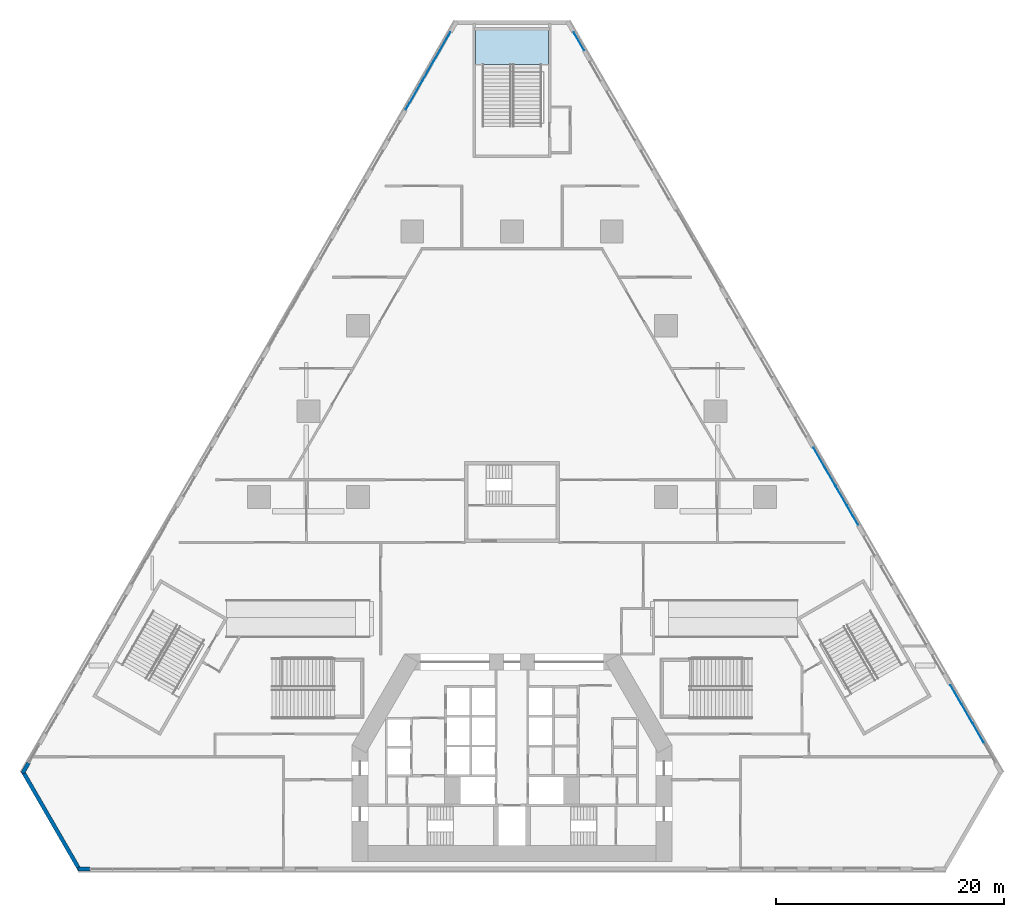
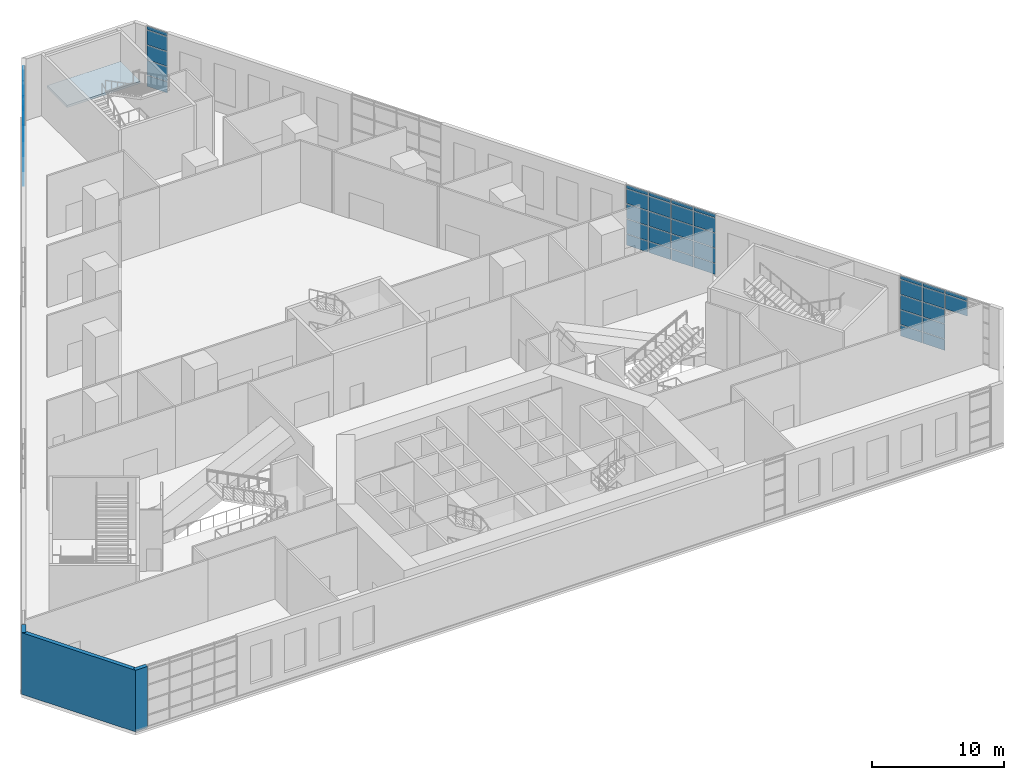
# One storey, part 13 of 27: 57 plates, 3 walls, 1 slab, 5 elements without a shape of their own.
"""IFC4 building model written with IfcOpenShell, lengths in metres."""

import ifcopenshell
import ifcopenshell.guid

model = None  # the IFC model being written
_history = None  # IfcOwnerHistory: only IFC2X3 demands one
_inside = {}  # id of a spatial element -> (the spatial element, [elements in it])
_under = {}  # id of a project, library or spatial element -> (it, [spatial elements below it])
_declared = {}  # id of a project -> (the project, [libraries it declares])
_typed = {}  # id of a type object -> (the type object, [elements of that type])
_made_of = {}  # id of a material, layer set ... -> (it, [elements and type objects made of it])


def new_model(schema):
    """Start an empty IFC model of exactly this schema.

    Asked for "IFC4X3", IfcOpenShell would pick the latest addendum, in which some entities
    have other attributes; the version numbers below select the first issue.
    IFC2X3 requires an IfcOwnerHistory on every rooted entity: one is made here for all.
    """
    global model, _history
    if schema == "IFC4X3":
        model = ifcopenshell.file(schema_version=(4, 3, 0, 0))
    else:
        model = ifcopenshell.file(schema=schema)
    _inside.clear()
    _under.clear()
    _declared.clear()
    _typed.clear()
    _made_of.clear()
    _history = None
    if model.schema == "IFC2X3":
        org = make("IfcOrganization", Name="unknown")
        user = make(
            "IfcPersonAndOrganization",
            ThePerson=make("IfcPerson", FamilyName="unknown"),
            TheOrganization=org,
        )
        app = make(
            "IfcApplication",
            ApplicationDeveloper=org,
            Version="unknown",
            ApplicationFullName="unknown",
            ApplicationIdentifier="unknown",
        )
        _history = make(
            "IfcOwnerHistory",
            OwningUser=user,
            OwningApplication=app,
            ChangeAction="ADDED",
            CreationDate=0,
        )
    return model


def make(cls, **values):
    """One entity of the class cls with the attributes given. An attribute that is None is left unset."""
    return model.create_entity(
        cls, **{name: value for name, value in values.items() if value is not None}
    )


def rooted(cls, **values):
    """An entity with a GlobalId (a new one), such as an element, a storey or a relation."""
    return make(cls, GlobalId=ifcopenshell.guid.new(), OwnerHistory=_history, **values)


def si_unit(unit_type, name, prefix=None):
    """IfcSIUnit, for example si_unit("LENGTHUNIT", "METRE", prefix="MILLI")."""
    return make("IfcSIUnit", UnitType=unit_type, Prefix=prefix, Name=name)


def assignment(units):
    """IfcUnitAssignment: the units of a project."""
    return None if units is None else make("IfcUnitAssignment", Units=units)


def point(xyz):
    """IfcCartesianPoint."""
    return None if xyz is None else make("IfcCartesianPoint", Coordinates=xyz)


def direction(xyz):
    """IfcDirection."""
    return None if xyz is None else make("IfcDirection", DirectionRatios=xyz)


def frame(location, z_axis=None, x_axis=None):
    """IfcAxis2Placement3D, a coordinate frame: its origin and axes. An axis left out is left unset."""
    return make(
        "IfcAxis2Placement3D",
        Location=point(location),
        Axis=direction(z_axis),
        RefDirection=direction(x_axis),
    )


def frame_2d(location, x_axis=None):
    """IfcAxis2Placement2D, a coordinate frame in the plane: its origin and x axis."""
    return make(
        "IfcAxis2Placement2D", Location=point(location), RefDirection=direction(x_axis)
    )


def origin():
    """The frame at (0, 0, 0) with its axes left unset."""
    return frame((0.0, 0.0, 0.0))


def origin_2d():
    """The frame at (0, 0) in the plane with its x axis left unset."""
    return frame_2d((0.0, 0.0))


def place(relative_to, where):
    """IfcLocalPlacement: puts the frame where relative to a parent placement (None: the world)."""
    return make(
        "IfcLocalPlacement", PlacementRelTo=relative_to, RelativePlacement=where
    )


def context(
    kind, dimensions, precision=None, world=None, true_north=None, identifier=None
):
    """IfcGeometricRepresentationContext, for example the 3D "Model" context."""
    return make(
        "IfcGeometricRepresentationContext",
        ContextIdentifier=identifier,
        ContextType=kind,
        CoordinateSpaceDimension=dimensions,
        Precision=precision,
        WorldCoordinateSystem=world,
        TrueNorth=true_north,
    )


def subcontext(parent, identifier, kind, view, scale=None):
    """IfcGeometricRepresentationSubContext, for example "Body" below "Model"."""
    return make(
        "IfcGeometricRepresentationSubContext",
        ContextIdentifier=identifier,
        ContextType=kind,
        ParentContext=parent,
        TargetScale=scale,
        TargetView=view,
    )


def project(units=None, contexts=None):
    """IfcProject with its units and contexts."""
    return rooted(
        "IfcProject",
        Name="project",
        RepresentationContexts=contexts,
        UnitsInContext=assignment(units),
    )


def spatial(cls, under=None, at=None, **own):
    """A site, building, storey or space (cls), placed at a placement, below another one or the project."""
    s = rooted(cls, ObjectPlacement=at, **own)
    if under is not None:
        _under.setdefault(under.id(), (under, []))[1].append(s)
    return s


def polyline(points):
    """IfcPolyline through the points."""
    return make("IfcPolyline", Points=[point(p) for p in points])


def profile(cls, at=None, kind="AREA", **sizes):
    """A parametric profile (cls). Its sizes go by their IFC names, for example OverallWidth=200.0."""
    return make(cls, ProfileType=kind, Position=at, **sizes)


def rectangle(**sizes):
    """IfcRectangleProfileDef."""
    return profile("IfcRectangleProfileDef", **sizes)


def outline(outer, holes=None, kind="AREA"):
    """IfcArbitraryClosedProfileDef: a profile drawn as a closed curve; with holes, ...WithVoids."""
    if holes is None:
        return make("IfcArbitraryClosedProfileDef", ProfileType=kind, OuterCurve=outer)
    return make(
        "IfcArbitraryProfileDefWithVoids",
        ProfileType=kind,
        OuterCurve=outer,
        InnerCurves=holes,
    )


def extrude(swept, where, along, depth):
    """IfcExtrudedAreaSolid: the profile swept, set in the frame where, extruded along a direction by depth."""
    return make(
        "IfcExtrudedAreaSolid",
        SweptArea=swept,
        Position=where,
        ExtrudedDirection=direction(along),
        Depth=depth,
    )


def shape(context_of_items, identifier, shape_type, items):
    """IfcShapeRepresentation: the items that make up one representation, for example the "Body"."""
    return make(
        "IfcShapeRepresentation",
        ContextOfItems=context_of_items,
        RepresentationIdentifier=identifier,
        RepresentationType=shape_type,
        Items=items,
    )


def material(Name=None, Category=None):
    """IfcMaterial."""
    return make("IfcMaterial", Name=Name, Category=Category)


def layer(
    of_material, thickness, ventilated=None, Name=None, Category=None, Priority=None
):
    """IfcMaterialLayer: one layer of a wall or slab, of a material (None: an air gap)."""
    return make(
        "IfcMaterialLayer",
        Material=of_material,
        LayerThickness=thickness,
        IsVentilated=ventilated,
        Name=Name,
        Category=Category,
        Priority=Priority,
    )


def layer_set(layers, Name=None):
    """IfcMaterialLayerSet."""
    return make("IfcMaterialLayerSet", MaterialLayers=layers, LayerSetName=Name)


def made_of(thing, what):
    """Note that an element or type object is made of a material, layer set ...; save() writes the relation."""
    if what is not None:
        _made_of.setdefault(what.id(), (what, []))[1].append(thing)
    return thing


def type_object(cls, material=None, **own):
    """A type object (cls), such as IfcWallType, which elements share."""
    return made_of(rooted(cls, **own), material)


def element(
    cls,
    number,
    at=None,
    inside=None,
    cuts=None,
    type_object=None,
    material=None,
    context=None,
    identifier="Body",
    shape_type=None,
    held_by="IfcProductDefinitionShape",
    body=None,
    shapes=None,
    **own,
):
    """One element of the class cls, such as IfcWall. Its Tag is "e" and its number.

    at: its placement. inside: the storey or other place that contains it. cuts: it is an
    opening in that element (IfcRelVoidsElement). A single representation is given by context,
    identifier, shape_type and body (its items); several are given by shapes. held_by: the class
    of the entity that holds the representations. save() writes the other relations.
    """
    e = rooted(cls, Tag="e%d" % number, ObjectPlacement=at, **own)
    if body is not None:
        shapes = [shape(context, identifier, shape_type, body)]
    if shapes is not None:
        e.Representation = make(held_by, Representations=shapes)
    if inside is not None:
        _inside.setdefault(inside.id(), (inside, []))[1].append(e)
    if cuts is not None:
        rooted(
            "IfcRelVoidsElement", RelatingBuildingElement=cuts, RelatedOpeningElement=e
        )
    if type_object is not None:
        _typed.setdefault(type_object.id(), (type_object, []))[1].append(e)
    return made_of(e, material)


def aggregate(whole, parts):
    """IfcRelAggregates: a whole, such as a stair, and the parts it consists of."""
    return rooted("IfcRelAggregates", RelatingObject=whole, RelatedObjects=parts)


def save(model, path):
    """Write the relations noted so far, then the file.

    IfcRelAggregates (storeys below a building ...), IfcRelContainedInSpatialStructure (elements
    in a storey), IfcRelDefinesByType, IfcRelAssociatesMaterial and IfcRelDeclares: one each for
    every whole, place, type object, material and project.
    """
    for whole, parts in _under.values():
        aggregate(whole, parts)
    for where, things in _inside.values():
        rooted(
            "IfcRelContainedInSpatialStructure",
            RelatedElements=things,
            RelatingStructure=where,
        )
    for kind, things in _typed.values():
        rooted("IfcRelDefinesByType", RelatedObjects=things, RelatingType=kind)
    for what, things in _made_of.values():
        rooted("IfcRelAssociatesMaterial", RelatedObjects=things, RelatingMaterial=what)
    for by, libraries in _declared.values():
        rooted("IfcRelDeclares", RelatingContext=by, RelatedDefinitions=libraries)
    model.write(path)


model = new_model("IFC4")

# Units and contexts
model_context = context("Model", 3, precision=1e-05, world=origin(), true_north=direction((0.0, 1.0)))
body_context = subcontext(model_context, "Body", "Model", "MODEL_VIEW")
ifc_project = project(units=[si_unit("LENGTHUNIT", "METRE"), si_unit("AREAUNIT", "SQUARE_METRE"), si_unit("VOLUMEUNIT", "CUBIC_METRE"), si_unit("PLANEANGLEUNIT", "RADIAN"), si_unit("MASSUNIT", "GRAM", prefix="KILO")], contexts=[model_context])

# Site, building, storey
site_placement = place(None, origin())
site = spatial("IfcSite", under=ifc_project, at=site_placement, CompositionType="ELEMENT")
building_placement = place(site_placement, origin())
building = spatial("IfcBuilding", under=site, at=building_placement, Name="Fogline Exchange Tower", CompositionType="ELEMENT")
storey_placement = place(building_placement, frame((0.0, 0.0, 8.0)))
storey = spatial("IfcBuildingStorey", under=building, at=storey_placement, Name="L01", CompositionType="ELEMENT", Elevation=8.0)

# Curtain wall, plates
ifc_material_1 = material(Name="Aluminium and glass", Category="aluminium")
curtain_wall_type = type_object("IfcCurtainWallType", Name="CW3", PredefinedType="NOTDEFINED", material=ifc_material_1)
curtain_wall_1_placement = place(storey_placement, origin())
curtain_wall_1 = element("IfcCurtainWall", 1, at=curtain_wall_1_placement, inside=storey, type_object=curtain_wall_type, Name="CW3 L01 E run 1", PredefinedType="NOTDEFINED")
ifc_material_2 = material(Name="Glass", Category="glass")
ifc_layer_1 = layer(ifc_material_2, 0.028076171875)
ifc_layer_set_1 = layer_set([ifc_layer_1], Name="CW3-P")
plate_type = type_object("IfcPlateType", Name="CW3-P", PredefinedType="CURTAIN_PANEL", material=ifc_layer_set_1)
plate_1_placement = place(storey_placement, frame((40.845703125, 12.0517578125, 3.93017578125), z_axis=(0.0, 0.0, 1.0), x_axis=(-0.500000016959, 0.866025393993, 0.0)))
plate_1 = element("IfcPlate", 2, at=plate_1_placement, type_object=plate_type, Name="CW3-P01-04 panel 2.4", PredefinedType="CURTAIN_PANEL", context=body_context, shape_type="SweptSolid", body=[
    extrude(rectangle(XDim=1.921142578125, YDim=0.028076171875, at=origin_2d()), origin(), (0.0, 0.0, 1.0), 1.340087890625),
])
plate_2_placement = place(storey_placement, frame((40.845703125, 12.0517578125, 5.330078125), z_axis=(0.0, 0.0, 1.0), x_axis=(-0.500000016959, 0.866025393993, 0.0)))
plate_2 = element("IfcPlate", 3, at=plate_2_placement, type_object=plate_type, Name="CW3-P01-04 panel 2.5", PredefinedType="CURTAIN_PANEL", context=body_context, shape_type="SweptSolid", body=[
    extrude(rectangle(XDim=1.921142578125, YDim=0.028076171875, at=origin_2d()), origin(), (0.0, 0.0, 1.0), 0.31005859375),
])
plate_3_placement = place(storey_placement, frame((39.85986328125, 13.759033203125, 0.06005859375), z_axis=(0.0, 0.0, 1.0), x_axis=(-0.500000016959, 0.866025393993, 0.0)))
plate_3 = element("IfcPlate", 4, at=plate_3_placement, type_object=plate_type, Name="CW3-P01-04 panel 3.1", PredefinedType="CURTAIN_PANEL", context=body_context, shape_type="SweptSolid", body=[
    extrude(rectangle(XDim=1.921142578125, YDim=0.028076171875, at=origin_2d()), origin(), (0.0, 0.0, 1.0), 1.010009765625),
])
plate_4_placement = place(storey_placement, frame((39.85986328125, 13.759033203125, 1.1298828125), z_axis=(0.0, 0.0, 1.0), x_axis=(-0.500000016959, 0.866025393993, 0.0)))
plate_4 = element("IfcPlate", 5, at=plate_4_placement, type_object=plate_type, Name="CW3-P01-04 panel 3.2", PredefinedType="CURTAIN_PANEL", context=body_context, shape_type="SweptSolid", body=[
    extrude(rectangle(XDim=1.921142578125, YDim=0.028076171875, at=origin_2d()), origin(), (0.0, 0.0, 1.0), 1.340087890625),
])
plate_5_placement = place(storey_placement, frame((39.85986328125, 13.759033203125, 2.52978515625), z_axis=(0.0, 0.0, 1.0), x_axis=(-0.500000016959, 0.866025393993, 0.0)))
plate_5 = element("IfcPlate", 6, at=plate_5_placement, type_object=plate_type, Name="CW3-P01-04 panel 3.3", PredefinedType="CURTAIN_PANEL", context=body_context, shape_type="SweptSolid", body=[
    extrude(rectangle(XDim=1.921142578125, YDim=0.028076171875, at=origin_2d()), origin(), (0.0, 0.0, 1.0), 1.340087890625),
])
plate_6_placement = place(storey_placement, frame((39.85986328125, 13.759033203125, 3.93017578125), z_axis=(0.0, 0.0, 1.0), x_axis=(-0.500000016959, 0.866025393993, 0.0)))
plate_6 = element("IfcPlate", 7, at=plate_6_placement, type_object=plate_type, Name="CW3-P01-04 panel 3.4", PredefinedType="CURTAIN_PANEL", context=body_context, shape_type="SweptSolid", body=[
    extrude(rectangle(XDim=1.921142578125, YDim=0.028076171875, at=origin_2d()), origin(), (0.0, 0.0, 1.0), 1.340087890625),
])
plate_7_placement = place(storey_placement, frame((39.85986328125, 13.759033203125, 5.330078125), z_axis=(0.0, 0.0, 1.0), x_axis=(-0.500000016959, 0.866025393993, 0.0)))
plate_7 = element("IfcPlate", 8, at=plate_7_placement, type_object=plate_type, Name="CW3-P01-04 panel 3.5", PredefinedType="CURTAIN_PANEL", context=body_context, shape_type="SweptSolid", body=[
    extrude(rectangle(XDim=1.921142578125, YDim=0.028076171875, at=origin_2d()), origin(), (0.0, 0.0, 1.0), 0.31005859375),
])
plate_8_placement = place(storey_placement, frame((38.880615234375, 15.455322265625, 0.06005859375), z_axis=(0.0, 0.0, 1.0), x_axis=(-0.500000016959, 0.866025393993, 0.0)))
plate_8 = element("IfcPlate", 9, at=plate_8_placement, type_object=plate_type, Name="CW3-P01-04 panel 4.1", PredefinedType="CURTAIN_PANEL", context=body_context, shape_type="SweptSolid", body=[
    extrude(rectangle(XDim=1.896240234375, YDim=0.028076171875, at=origin_2d()), origin(), (0.0, 0.0, 1.0), 1.010009765625),
])
plate_9_placement = place(storey_placement, frame((38.880615234375, 15.455322265625, 1.1298828125), z_axis=(0.0, 0.0, 1.0), x_axis=(-0.500000016959, 0.866025393993, 0.0)))
plate_9 = element("IfcPlate", 10, at=plate_9_placement, type_object=plate_type, Name="CW3-P01-04 panel 4.2", PredefinedType="CURTAIN_PANEL", context=body_context, shape_type="SweptSolid", body=[
    extrude(rectangle(XDim=1.896240234375, YDim=0.028076171875, at=origin_2d()), origin(), (0.0, 0.0, 1.0), 1.340087890625),
])
plate_10_placement = place(storey_placement, frame((38.880615234375, 15.455322265625, 2.52978515625), z_axis=(0.0, 0.0, 1.0), x_axis=(-0.500000016959, 0.866025393993, 0.0)))
plate_10 = element("IfcPlate", 11, at=plate_10_placement, type_object=plate_type, Name="CW3-P01-04 panel 4.3", PredefinedType="CURTAIN_PANEL", context=body_context, shape_type="SweptSolid", body=[
    extrude(rectangle(XDim=1.896240234375, YDim=0.028076171875, at=origin_2d()), origin(), (0.0, 0.0, 1.0), 1.340087890625),
])
plate_11_placement = place(storey_placement, frame((38.880615234375, 15.455322265625, 3.93017578125), z_axis=(0.0, 0.0, 1.0), x_axis=(-0.500000016959, 0.866025393993, 0.0)))
plate_11 = element("IfcPlate", 12, at=plate_11_placement, type_object=plate_type, Name="CW3-P01-04 panel 4.4", PredefinedType="CURTAIN_PANEL", context=body_context, shape_type="SweptSolid", body=[
    extrude(rectangle(XDim=1.896240234375, YDim=0.028076171875, at=origin_2d()), origin(), (0.0, 0.0, 1.0), 1.340087890625),
])
plate_12_placement = place(storey_placement, frame((38.880615234375, 15.455322265625, 5.330078125), z_axis=(0.0, 0.0, 1.0), x_axis=(-0.500000016959, 0.866025393993, 0.0)))
plate_12 = element("IfcPlate", 13, at=plate_12_placement, type_object=plate_type, Name="CW3-P01-04 panel 4.5", PredefinedType="CURTAIN_PANEL", context=body_context, shape_type="SweptSolid", body=[
    extrude(rectangle(XDim=1.896240234375, YDim=0.028076171875, at=origin_2d()), origin(), (0.0, 0.0, 1.0), 0.31005859375),
])
aggregate(curtain_wall_1, [plate_1, plate_2, plate_3, plate_4, plate_5, plate_6, plate_7, plate_8, plate_9, plate_10, plate_11, plate_12])

curtain_wall_2_placement = place(storey_placement, origin())
curtain_wall_2 = element("IfcCurtainWall", 14, at=curtain_wall_2_placement, inside=storey, type_object=curtain_wall_type, Name="CW3 L01 E run 2", PredefinedType="NOTDEFINED")
plate_13_placement = place(storey_placement, frame((29.824951171875, 31.14013671875, 0.06005859375), z_axis=(0.0, 0.0, 1.0), x_axis=(-0.500000016959, 0.866025393993, 0.0)))
plate_13 = element("IfcPlate", 15, at=plate_13_placement, type_object=plate_type, Name="CW3-P01-05 panel 1.1", PredefinedType="CURTAIN_PANEL", context=body_context, shape_type="SweptSolid", body=[
    extrude(rectangle(XDim=1.896240234375, YDim=0.028076171875, at=origin_2d()), origin(), (0.0, 0.0, 1.0), 1.010009765625),
])
plate_14_placement = place(storey_placement, frame((29.824951171875, 31.14013671875, 1.1298828125), z_axis=(0.0, 0.0, 1.0), x_axis=(-0.500000016959, 0.866025393993, 0.0)))
plate_14 = element("IfcPlate", 16, at=plate_14_placement, type_object=plate_type, Name="CW3-P01-05 panel 1.2", PredefinedType="CURTAIN_PANEL", context=body_context, shape_type="SweptSolid", body=[
    extrude(rectangle(XDim=1.896240234375, YDim=0.028076171875, at=origin_2d()), origin(), (0.0, 0.0, 1.0), 1.340087890625),
])
plate_15_placement = place(storey_placement, frame((29.824951171875, 31.14013671875, 2.52978515625), z_axis=(0.0, 0.0, 1.0), x_axis=(-0.500000016959, 0.866025393993, 0.0)))
plate_15 = element("IfcPlate", 17, at=plate_15_placement, type_object=plate_type, Name="CW3-P01-05 panel 1.3", PredefinedType="CURTAIN_PANEL", context=body_context, shape_type="SweptSolid", body=[
    extrude(rectangle(XDim=1.896240234375, YDim=0.028076171875, at=origin_2d()), origin(), (0.0, 0.0, 1.0), 1.340087890625),
])
plate_16_placement = place(storey_placement, frame((29.824951171875, 31.14013671875, 3.93017578125), z_axis=(0.0, 0.0, 1.0), x_axis=(-0.500000016959, 0.866025393993, 0.0)))
plate_16 = element("IfcPlate", 18, at=plate_16_placement, type_object=plate_type, Name="CW3-P01-05 panel 1.4", PredefinedType="CURTAIN_PANEL", context=body_context, shape_type="SweptSolid", body=[
    extrude(rectangle(XDim=1.896240234375, YDim=0.028076171875, at=origin_2d()), origin(), (0.0, 0.0, 1.0), 1.340087890625),
])
plate_17_placement = place(storey_placement, frame((29.824951171875, 31.14013671875, 5.330078125), z_axis=(0.0, 0.0, 1.0), x_axis=(-0.500000016959, 0.866025393993, 0.0)))
plate_17 = element("IfcPlate", 19, at=plate_17_placement, type_object=plate_type, Name="CW3-P01-05 panel 1.5", PredefinedType="CURTAIN_PANEL", context=body_context, shape_type="SweptSolid", body=[
    extrude(rectangle(XDim=1.896240234375, YDim=0.028076171875, at=origin_2d()), origin(), (0.0, 0.0, 1.0), 0.31005859375),
])
plate_18_placement = place(storey_placement, frame((28.845703125, 32.83642578125, 0.06005859375), z_axis=(0.0, 0.0, 1.0), x_axis=(-0.500000016959, 0.866025393993, 0.0)))
plate_18 = element("IfcPlate", 20, at=plate_18_placement, type_object=plate_type, Name="CW3-P01-05 panel 2.1", PredefinedType="CURTAIN_PANEL", context=body_context, shape_type="SweptSolid", body=[
    extrude(rectangle(XDim=1.921142578125, YDim=0.028076171875, at=origin_2d()), origin(), (0.0, 0.0, 1.0), 1.010009765625),
])
plate_19_placement = place(storey_placement, frame((28.845703125, 32.83642578125, 1.1298828125), z_axis=(0.0, 0.0, 1.0), x_axis=(-0.500000016959, 0.866025393993, 0.0)))
plate_19 = element("IfcPlate", 21, at=plate_19_placement, type_object=plate_type, Name="CW3-P01-05 panel 2.2", PredefinedType="CURTAIN_PANEL", context=body_context, shape_type="SweptSolid", body=[
    extrude(rectangle(XDim=1.921142578125, YDim=0.028076171875, at=origin_2d()), origin(), (0.0, 0.0, 1.0), 1.340087890625),
])
plate_20_placement = place(storey_placement, frame((28.845703125, 32.83642578125, 2.52978515625), z_axis=(0.0, 0.0, 1.0), x_axis=(-0.500000016959, 0.866025393993, 0.0)))
plate_20 = element("IfcPlate", 22, at=plate_20_placement, type_object=plate_type, Name="CW3-P01-05 panel 2.3", PredefinedType="CURTAIN_PANEL", context=body_context, shape_type="SweptSolid", body=[
    extrude(rectangle(XDim=1.921142578125, YDim=0.028076171875, at=origin_2d()), origin(), (0.0, 0.0, 1.0), 1.340087890625),
])
plate_21_placement = place(storey_placement, frame((28.845703125, 32.83642578125, 3.93017578125), z_axis=(0.0, 0.0, 1.0), x_axis=(-0.500000016959, 0.866025393993, 0.0)))
plate_21 = element("IfcPlate", 23, at=plate_21_placement, type_object=plate_type, Name="CW3-P01-05 panel 2.4", PredefinedType="CURTAIN_PANEL", context=body_context, shape_type="SweptSolid", body=[
    extrude(rectangle(XDim=1.921142578125, YDim=0.028076171875, at=origin_2d()), origin(), (0.0, 0.0, 1.0), 1.340087890625),
])
plate_22_placement = place(storey_placement, frame((28.845703125, 32.83642578125, 5.330078125), z_axis=(0.0, 0.0, 1.0), x_axis=(-0.500000016959, 0.866025393993, 0.0)))
plate_22 = element("IfcPlate", 24, at=plate_22_placement, type_object=plate_type, Name="CW3-P01-05 panel 2.5", PredefinedType="CURTAIN_PANEL", context=body_context, shape_type="SweptSolid", body=[
    extrude(rectangle(XDim=1.921142578125, YDim=0.028076171875, at=origin_2d()), origin(), (0.0, 0.0, 1.0), 0.31005859375),
])
plate_23_placement = place(storey_placement, frame((27.85986328125, 34.54345703125, 0.06005859375), z_axis=(0.0, 0.0, 1.0), x_axis=(-0.500000016959, 0.866025393993, 0.0)))
plate_23 = element("IfcPlate", 25, at=plate_23_placement, type_object=plate_type, Name="CW3-P01-05 panel 3.1", PredefinedType="CURTAIN_PANEL", context=body_context, shape_type="SweptSolid", body=[
    extrude(rectangle(XDim=1.921142578125, YDim=0.028076171875, at=origin_2d()), origin(), (0.0, 0.0, 1.0), 1.010009765625),
])
plate_24_placement = place(storey_placement, frame((27.85986328125, 34.54345703125, 1.1298828125), z_axis=(0.0, 0.0, 1.0), x_axis=(-0.500000016959, 0.866025393993, 0.0)))
plate_24 = element("IfcPlate", 26, at=plate_24_placement, type_object=plate_type, Name="CW3-P01-05 panel 3.2", PredefinedType="CURTAIN_PANEL", context=body_context, shape_type="SweptSolid", body=[
    extrude(rectangle(XDim=1.921142578125, YDim=0.028076171875, at=origin_2d()), origin(), (0.0, 0.0, 1.0), 1.340087890625),
])
plate_25_placement = place(storey_placement, frame((27.85986328125, 34.54345703125, 2.52978515625), z_axis=(0.0, 0.0, 1.0), x_axis=(-0.500000016959, 0.866025393993, 0.0)))
plate_25 = element("IfcPlate", 27, at=plate_25_placement, type_object=plate_type, Name="CW3-P01-05 panel 3.3", PredefinedType="CURTAIN_PANEL", context=body_context, shape_type="SweptSolid", body=[
    extrude(rectangle(XDim=1.921142578125, YDim=0.028076171875, at=origin_2d()), origin(), (0.0, 0.0, 1.0), 1.340087890625),
])
plate_26_placement = place(storey_placement, frame((27.85986328125, 34.54345703125, 3.93017578125), z_axis=(0.0, 0.0, 1.0), x_axis=(-0.500000016959, 0.866025393993, 0.0)))
plate_26 = element("IfcPlate", 28, at=plate_26_placement, type_object=plate_type, Name="CW3-P01-05 panel 3.4", PredefinedType="CURTAIN_PANEL", context=body_context, shape_type="SweptSolid", body=[
    extrude(rectangle(XDim=1.921142578125, YDim=0.028076171875, at=origin_2d()), origin(), (0.0, 0.0, 1.0), 1.340087890625),
])
plate_27_placement = place(storey_placement, frame((27.85986328125, 34.54345703125, 5.330078125), z_axis=(0.0, 0.0, 1.0), x_axis=(-0.500000016959, 0.866025393993, 0.0)))
plate_27 = element("IfcPlate", 29, at=plate_27_placement, type_object=plate_type, Name="CW3-P01-05 panel 3.5", PredefinedType="CURTAIN_PANEL", context=body_context, shape_type="SweptSolid", body=[
    extrude(rectangle(XDim=1.921142578125, YDim=0.028076171875, at=origin_2d()), origin(), (0.0, 0.0, 1.0), 0.31005859375),
])
plate_28_placement = place(storey_placement, frame((26.880615234375, 36.239990234375, 0.06005859375), z_axis=(0.0, 0.0, 1.0), x_axis=(-0.500000016959, 0.866025393993, 0.0)))
plate_28 = element("IfcPlate", 30, at=plate_28_placement, type_object=plate_type, Name="CW3-P01-05 panel 4.1", PredefinedType="CURTAIN_PANEL", context=body_context, shape_type="SweptSolid", body=[
    extrude(rectangle(XDim=1.896240234375, YDim=0.028076171875, at=origin_2d()), origin(), (0.0, 0.0, 1.0), 1.010009765625),
])
plate_29_placement = place(storey_placement, frame((26.880615234375, 36.239990234375, 1.1298828125), z_axis=(0.0, 0.0, 1.0), x_axis=(-0.500000016959, 0.866025393993, 0.0)))
plate_29 = element("IfcPlate", 31, at=plate_29_placement, type_object=plate_type, Name="CW3-P01-05 panel 4.2", PredefinedType="CURTAIN_PANEL", context=body_context, shape_type="SweptSolid", body=[
    extrude(rectangle(XDim=1.896240234375, YDim=0.028076171875, at=origin_2d()), origin(), (0.0, 0.0, 1.0), 1.340087890625),
])
plate_30_placement = place(storey_placement, frame((26.880615234375, 36.239990234375, 2.52978515625), z_axis=(0.0, 0.0, 1.0), x_axis=(-0.500000016959, 0.866025393993, 0.0)))
plate_30 = element("IfcPlate", 32, at=plate_30_placement, type_object=plate_type, Name="CW3-P01-05 panel 4.3", PredefinedType="CURTAIN_PANEL", context=body_context, shape_type="SweptSolid", body=[
    extrude(rectangle(XDim=1.896240234375, YDim=0.028076171875, at=origin_2d()), origin(), (0.0, 0.0, 1.0), 1.340087890625),
])
plate_31_placement = place(storey_placement, frame((26.880615234375, 36.239990234375, 3.93017578125), z_axis=(0.0, 0.0, 1.0), x_axis=(-0.500000016959, 0.866025393993, 0.0)))
plate_31 = element("IfcPlate", 33, at=plate_31_placement, type_object=plate_type, Name="CW3-P01-05 panel 4.4", PredefinedType="CURTAIN_PANEL", context=body_context, shape_type="SweptSolid", body=[
    extrude(rectangle(XDim=1.896240234375, YDim=0.028076171875, at=origin_2d()), origin(), (0.0, 0.0, 1.0), 1.340087890625),
])
plate_32_placement = place(storey_placement, frame((26.880615234375, 36.239990234375, 5.330078125), z_axis=(0.0, 0.0, 1.0), x_axis=(-0.500000016959, 0.866025393993, 0.0)))
plate_32 = element("IfcPlate", 34, at=plate_32_placement, type_object=plate_type, Name="CW3-P01-05 panel 4.5", PredefinedType="CURTAIN_PANEL", context=body_context, shape_type="SweptSolid", body=[
    extrude(rectangle(XDim=1.896240234375, YDim=0.028076171875, at=origin_2d()), origin(), (0.0, 0.0, 1.0), 0.31005859375),
])
aggregate(curtain_wall_2, [plate_13, plate_14, plate_15, plate_16, plate_17, plate_18, plate_19, plate_20, plate_21, plate_22, plate_23, plate_24, plate_25, plate_26, plate_27, plate_28, plate_29, plate_30, plate_31, plate_32])

curtain_wall_3_placement = place(storey_placement, origin())
curtain_wall_3 = element("IfcCurtainWall", 35, at=curtain_wall_3_placement, inside=storey, type_object=curtain_wall_type, Name="CW3 L01 E run 4", PredefinedType="NOTDEFINED")
plate_33_placement = place(storey_placement, frame((5.852783203125, 72.6611328125, 0.06005859375), z_axis=(0.0, 0.0, 1.0), x_axis=(-0.500001811561, 0.866024357877, 0.0)))
plate_33 = element("IfcPlate", 36, at=plate_33_placement, type_object=plate_type, Name="CW3-P01-07 panel 1.1", PredefinedType="CURTAIN_PANEL", context=body_context, shape_type="SweptSolid", body=[
    extrude(rectangle(XDim=1.784912109375, YDim=0.028076171875, at=origin_2d()), origin(), (0.0, 0.0, 1.0), 1.010009765625),
])
plate_34_placement = place(storey_placement, frame((5.852783203125, 72.6611328125, 1.1298828125), z_axis=(0.0, 0.0, 1.0), x_axis=(-0.500001811561, 0.866024357877, 0.0)))
plate_34 = element("IfcPlate", 37, at=plate_34_placement, type_object=plate_type, Name="CW3-P01-07 panel 1.2", PredefinedType="CURTAIN_PANEL", context=body_context, shape_type="SweptSolid", body=[
    extrude(rectangle(XDim=1.784912109375, YDim=0.028076171875, at=origin_2d()), origin(), (0.0, 0.0, 1.0), 1.340087890625),
])
plate_35_placement = place(storey_placement, frame((5.852783203125, 72.6611328125, 2.52978515625), z_axis=(0.0, 0.0, 1.0), x_axis=(-0.500001811561, 0.866024357877, 0.0)))
plate_35 = element("IfcPlate", 38, at=plate_35_placement, type_object=plate_type, Name="CW3-P01-07 panel 1.3", PredefinedType="CURTAIN_PANEL", context=body_context, shape_type="SweptSolid", body=[
    extrude(rectangle(XDim=1.784912109375, YDim=0.028076171875, at=origin_2d()), origin(), (0.0, 0.0, 1.0), 1.340087890625),
])
plate_36_placement = place(storey_placement, frame((5.852783203125, 72.6611328125, 3.93017578125), z_axis=(0.0, 0.0, 1.0), x_axis=(-0.500001811561, 0.866024357877, 0.0)))
plate_36 = element("IfcPlate", 39, at=plate_36_placement, type_object=plate_type, Name="CW3-P01-07 panel 1.4", PredefinedType="CURTAIN_PANEL", context=body_context, shape_type="SweptSolid", body=[
    extrude(rectangle(XDim=1.784912109375, YDim=0.028076171875, at=origin_2d()), origin(), (0.0, 0.0, 1.0), 1.340087890625),
])
plate_37_placement = place(storey_placement, frame((5.852783203125, 72.6611328125, 5.330078125), z_axis=(0.0, 0.0, 1.0), x_axis=(-0.500001811561, 0.866024357877, 0.0)))
plate_37 = element("IfcPlate", 40, at=plate_37_placement, type_object=plate_type, Name="CW3-P01-07 panel 1.5", PredefinedType="CURTAIN_PANEL", context=body_context, shape_type="SweptSolid", body=[
    extrude(rectangle(XDim=1.784912109375, YDim=0.028076171875, at=origin_2d()), origin(), (0.0, 0.0, 1.0), 0.31005859375),
])
aggregate(curtain_wall_3, [plate_33, plate_34, plate_35, plate_36, plate_37])

curtain_wall_4_placement = place(storey_placement, origin())
curtain_wall_4 = element("IfcCurtainWall", 41, at=curtain_wall_4_placement, inside=storey, type_object=curtain_wall_type, Name="CW3 L01 W run 1", PredefinedType="NOTDEFINED")
plate_38_placement = place(storey_placement, frame((-5.880615234375, 72.613037109375, 0.06005859375), z_axis=(0.0, 0.0, 1.0), x_axis=(-0.500000016959, -0.866025393993, 0.0)))
plate_38 = element("IfcPlate", 42, at=plate_38_placement, type_object=plate_type, Name="CW3-P01-08 panel 1.1", PredefinedType="CURTAIN_PANEL", context=body_context, shape_type="SweptSolid", body=[
    extrude(rectangle(XDim=1.896240234375, YDim=0.028076171875, at=origin_2d()), origin(), (0.0, 0.0, 1.0), 1.010009765625),
])
plate_39_placement = place(storey_placement, frame((-5.880615234375, 72.613037109375, 1.1298828125), z_axis=(0.0, 0.0, 1.0), x_axis=(-0.500000016959, -0.866025393993, 0.0)))
plate_39 = element("IfcPlate", 43, at=plate_39_placement, type_object=plate_type, Name="CW3-P01-08 panel 1.2", PredefinedType="CURTAIN_PANEL", context=body_context, shape_type="SweptSolid", body=[
    extrude(rectangle(XDim=1.896240234375, YDim=0.028076171875, at=origin_2d()), origin(), (0.0, 0.0, 1.0), 1.340087890625),
])
plate_40_placement = place(storey_placement, frame((-5.880615234375, 72.613037109375, 2.52978515625), z_axis=(0.0, 0.0, 1.0), x_axis=(-0.500000016959, -0.866025393993, 0.0)))
plate_40 = element("IfcPlate", 44, at=plate_40_placement, type_object=plate_type, Name="CW3-P01-08 panel 1.3", PredefinedType="CURTAIN_PANEL", context=body_context, shape_type="SweptSolid", body=[
    extrude(rectangle(XDim=1.896240234375, YDim=0.028076171875, at=origin_2d()), origin(), (0.0, 0.0, 1.0), 1.340087890625),
])
plate_41_placement = place(storey_placement, frame((-5.880615234375, 72.613037109375, 3.93017578125), z_axis=(0.0, 0.0, 1.0), x_axis=(-0.500000016959, -0.866025393993, 0.0)))
plate_41 = element("IfcPlate", 45, at=plate_41_placement, type_object=plate_type, Name="CW3-P01-08 panel 1.4", PredefinedType="CURTAIN_PANEL", context=body_context, shape_type="SweptSolid", body=[
    extrude(rectangle(XDim=1.896240234375, YDim=0.028076171875, at=origin_2d()), origin(), (0.0, 0.0, 1.0), 1.340087890625),
])
plate_42_placement = place(storey_placement, frame((-5.880615234375, 72.613037109375, 5.330078125), z_axis=(0.0, 0.0, 1.0), x_axis=(-0.500000016959, -0.866025393993, 0.0)))
plate_42 = element("IfcPlate", 46, at=plate_42_placement, type_object=plate_type, Name="CW3-P01-08 panel 1.5", PredefinedType="CURTAIN_PANEL", context=body_context, shape_type="SweptSolid", body=[
    extrude(rectangle(XDim=1.896240234375, YDim=0.028076171875, at=origin_2d()), origin(), (0.0, 0.0, 1.0), 0.31005859375),
])
plate_43_placement = place(storey_placement, frame((-6.85986328125, 70.916748046875, 0.06005859375), z_axis=(0.0, 0.0, 1.0), x_axis=(-0.500000016959, -0.866025393993, 0.0)))
plate_43 = element("IfcPlate", 47, at=plate_43_placement, type_object=plate_type, Name="CW3-P01-08 panel 2.1", PredefinedType="CURTAIN_PANEL", context=body_context, shape_type="SweptSolid", body=[
    extrude(rectangle(XDim=1.921142578125, YDim=0.028076171875, at=origin_2d()), origin(), (0.0, 0.0, 1.0), 1.010009765625),
])
plate_44_placement = place(storey_placement, frame((-6.85986328125, 70.916748046875, 1.1298828125), z_axis=(0.0, 0.0, 1.0), x_axis=(-0.500000016959, -0.866025393993, 0.0)))
plate_44 = element("IfcPlate", 48, at=plate_44_placement, type_object=plate_type, Name="CW3-P01-08 panel 2.2", PredefinedType="CURTAIN_PANEL", context=body_context, shape_type="SweptSolid", body=[
    extrude(rectangle(XDim=1.921142578125, YDim=0.028076171875, at=origin_2d()), origin(), (0.0, 0.0, 1.0), 1.340087890625),
])
plate_45_placement = place(storey_placement, frame((-6.85986328125, 70.916748046875, 2.52978515625), z_axis=(0.0, 0.0, 1.0), x_axis=(-0.500000016959, -0.866025393993, 0.0)))
plate_45 = element("IfcPlate", 49, at=plate_45_placement, type_object=plate_type, Name="CW3-P01-08 panel 2.3", PredefinedType="CURTAIN_PANEL", context=body_context, shape_type="SweptSolid", body=[
    extrude(rectangle(XDim=1.921142578125, YDim=0.028076171875, at=origin_2d()), origin(), (0.0, 0.0, 1.0), 1.340087890625),
])
plate_46_placement = place(storey_placement, frame((-6.85986328125, 70.916748046875, 3.93017578125), z_axis=(0.0, 0.0, 1.0), x_axis=(-0.500000016959, -0.866025393993, 0.0)))
plate_46 = element("IfcPlate", 50, at=plate_46_placement, type_object=plate_type, Name="CW3-P01-08 panel 2.4", PredefinedType="CURTAIN_PANEL", context=body_context, shape_type="SweptSolid", body=[
    extrude(rectangle(XDim=1.921142578125, YDim=0.028076171875, at=origin_2d()), origin(), (0.0, 0.0, 1.0), 1.340087890625),
])
plate_47_placement = place(storey_placement, frame((-6.85986328125, 70.916748046875, 5.330078125), z_axis=(0.0, 0.0, 1.0), x_axis=(-0.500000016959, -0.866025393993, 0.0)))
plate_47 = element("IfcPlate", 51, at=plate_47_placement, type_object=plate_type, Name="CW3-P01-08 panel 2.5", PredefinedType="CURTAIN_PANEL", context=body_context, shape_type="SweptSolid", body=[
    extrude(rectangle(XDim=1.921142578125, YDim=0.028076171875, at=origin_2d()), origin(), (0.0, 0.0, 1.0), 0.31005859375),
])
plate_48_placement = place(storey_placement, frame((-7.845703125, 69.20947265625, 0.06005859375), z_axis=(0.0, 0.0, 1.0), x_axis=(-0.500000016959, -0.866025393993, 0.0)))
plate_48 = element("IfcPlate", 52, at=plate_48_placement, type_object=plate_type, Name="CW3-P01-08 panel 3.1", PredefinedType="CURTAIN_PANEL", context=body_context, shape_type="SweptSolid", body=[
    extrude(rectangle(XDim=1.921142578125, YDim=0.028076171875, at=origin_2d()), origin(), (0.0, 0.0, 1.0), 1.010009765625),
])
plate_49_placement = place(storey_placement, frame((-7.845703125, 69.20947265625, 1.1298828125), z_axis=(0.0, 0.0, 1.0), x_axis=(-0.500000016959, -0.866025393993, 0.0)))
plate_49 = element("IfcPlate", 53, at=plate_49_placement, type_object=plate_type, Name="CW3-P01-08 panel 3.2", PredefinedType="CURTAIN_PANEL", context=body_context, shape_type="SweptSolid", body=[
    extrude(rectangle(XDim=1.921142578125, YDim=0.028076171875, at=origin_2d()), origin(), (0.0, 0.0, 1.0), 1.340087890625),
])
plate_50_placement = place(storey_placement, frame((-7.845703125, 69.20947265625, 2.52978515625), z_axis=(0.0, 0.0, 1.0), x_axis=(-0.500000016959, -0.866025393993, 0.0)))
plate_50 = element("IfcPlate", 54, at=plate_50_placement, type_object=plate_type, Name="CW3-P01-08 panel 3.3", PredefinedType="CURTAIN_PANEL", context=body_context, shape_type="SweptSolid", body=[
    extrude(rectangle(XDim=1.921142578125, YDim=0.028076171875, at=origin_2d()), origin(), (0.0, 0.0, 1.0), 1.340087890625),
])
plate_51_placement = place(storey_placement, frame((-7.845703125, 69.20947265625, 3.93017578125), z_axis=(0.0, 0.0, 1.0), x_axis=(-0.500000016959, -0.866025393993, 0.0)))
plate_51 = element("IfcPlate", 55, at=plate_51_placement, type_object=plate_type, Name="CW3-P01-08 panel 3.4", PredefinedType="CURTAIN_PANEL", context=body_context, shape_type="SweptSolid", body=[
    extrude(rectangle(XDim=1.921142578125, YDim=0.028076171875, at=origin_2d()), origin(), (0.0, 0.0, 1.0), 1.340087890625),
])
plate_52_placement = place(storey_placement, frame((-7.845703125, 69.20947265625, 5.330078125), z_axis=(0.0, 0.0, 1.0), x_axis=(-0.500000016959, -0.866025393993, 0.0)))
plate_52 = element("IfcPlate", 56, at=plate_52_placement, type_object=plate_type, Name="CW3-P01-08 panel 3.5", PredefinedType="CURTAIN_PANEL", context=body_context, shape_type="SweptSolid", body=[
    extrude(rectangle(XDim=1.921142578125, YDim=0.028076171875, at=origin_2d()), origin(), (0.0, 0.0, 1.0), 0.31005859375),
])
plate_53_placement = place(storey_placement, frame((-8.824951171875, 67.51318359375, 0.06005859375), z_axis=(0.0, 0.0, 1.0), x_axis=(-0.500000016959, -0.866025393993, 0.0)))
plate_53 = element("IfcPlate", 57, at=plate_53_placement, type_object=plate_type, Name="CW3-P01-08 panel 4.1", PredefinedType="CURTAIN_PANEL", context=body_context, shape_type="SweptSolid", body=[
    extrude(rectangle(XDim=1.896240234375, YDim=0.028076171875, at=origin_2d()), origin(), (0.0, 0.0, 1.0), 1.010009765625),
])
plate_54_placement = place(storey_placement, frame((-8.824951171875, 67.51318359375, 1.1298828125), z_axis=(0.0, 0.0, 1.0), x_axis=(-0.500000016959, -0.866025393993, 0.0)))
plate_54 = element("IfcPlate", 58, at=plate_54_placement, type_object=plate_type, Name="CW3-P01-08 panel 4.2", PredefinedType="CURTAIN_PANEL", context=body_context, shape_type="SweptSolid", body=[
    extrude(rectangle(XDim=1.896240234375, YDim=0.028076171875, at=origin_2d()), origin(), (0.0, 0.0, 1.0), 1.340087890625),
])
plate_55_placement = place(storey_placement, frame((-8.824951171875, 67.51318359375, 2.52978515625), z_axis=(0.0, 0.0, 1.0), x_axis=(-0.500000016959, -0.866025393993, 0.0)))
plate_55 = element("IfcPlate", 59, at=plate_55_placement, type_object=plate_type, Name="CW3-P01-08 panel 4.3", PredefinedType="CURTAIN_PANEL", context=body_context, shape_type="SweptSolid", body=[
    extrude(rectangle(XDim=1.896240234375, YDim=0.028076171875, at=origin_2d()), origin(), (0.0, 0.0, 1.0), 1.340087890625),
])
plate_56_placement = place(storey_placement, frame((-8.824951171875, 67.51318359375, 3.93017578125), z_axis=(0.0, 0.0, 1.0), x_axis=(-0.500000016959, -0.866025393993, 0.0)))
plate_56 = element("IfcPlate", 60, at=plate_56_placement, type_object=plate_type, Name="CW3-P01-08 panel 4.4", PredefinedType="CURTAIN_PANEL", context=body_context, shape_type="SweptSolid", body=[
    extrude(rectangle(XDim=1.896240234375, YDim=0.028076171875, at=origin_2d()), origin(), (0.0, 0.0, 1.0), 1.340087890625),
])
plate_57_placement = place(storey_placement, frame((-8.824951171875, 67.51318359375, 5.330078125), z_axis=(0.0, 0.0, 1.0), x_axis=(-0.500000016959, -0.866025393993, 0.0)))
plate_57 = element("IfcPlate", 61, at=plate_57_placement, type_object=plate_type, Name="CW3-P01-08 panel 4.5", PredefinedType="CURTAIN_PANEL", context=body_context, shape_type="SweptSolid", body=[
    extrude(rectangle(XDim=1.896240234375, YDim=0.028076171875, at=origin_2d()), origin(), (0.0, 0.0, 1.0), 0.31005859375),
])
aggregate(curtain_wall_4, [plate_38, plate_39, plate_40, plate_41, plate_42, plate_43, plate_44, plate_45, plate_46, plate_47, plate_48, plate_49, plate_50, plate_51, plate_52, plate_53, plate_54, plate_55, plate_56, plate_57])

# Stair, slab
ifc_material_3 = material(Name="Concrete C40", Category="concrete")
stair_type = type_object("IfcStairType", Name="PSF0-36-1667", PredefinedType="HALF_TURN_STAIR", material=ifc_material_3)
stair_placement = place(storey_placement, origin())
stair = element("IfcStair", 62, at=stair_placement, inside=storey, type_object=stair_type, Name="Stair ST6", PredefinedType="HALF_TURN_STAIR")
ifc_layer_2 = layer(ifc_material_3, 0.199951171875)
ifc_layer_set_2 = layer_set([ifc_layer_2], Name="PSL1")
slab_type = type_object("IfcSlabType", Name="PSL1", PredefinedType="LANDING", material=ifc_layer_set_2)
slab_placement = place(storey_placement, frame((0.0, 0.0, 2.800048828125)))
slab = element("IfcSlab", 63, at=slab_placement, type_object=slab_type, Name="ST6 landing 1", PredefinedType="LANDING", context=body_context, shape_type="SweptSolid", body=[
    extrude(outline(polyline([(-3.215087890625, 73.6650390625), (-3.215087890625, 70.623046875), (3.215087890625, 70.623046875), (3.215087890625, 73.6650390625), (-3.215087890625, 73.6650390625)])), origin(), (0.0, 0.0, 1.0), 0.199951171875),
])
aggregate(stair, [slab])

# Walls
ifc_material_4 = material(Name="Brick masonry", Category="masonry")
ifc_layer_3 = layer(ifc_material_4, 0.340087890625)
ifc_layer_set_3 = layer_set([ifc_layer_3], Name="FW1")
wall_type = type_object("IfcWallType", Name="FW1", PredefinedType="SOLIDWALL", material=ifc_layer_set_3)
wall_1_placement = place(storey_placement, origin())
element("IfcWall", 64, at=wall_1_placement, inside=storey, type_object=wall_type, Name="Brick wall L01 SW-c", PredefinedType="SOLIDWALL", context=body_context, shape_type="SweptSolid", body=[
    extrude(outline(polyline([(-43.000732421875, 8.661376953125), (-42.705810546875, 8.490966796875), (-42.607421875, 8.661376953125), (-37.802734375, 0.33935546875), (-37.99951171875, 0.33935546875), (-37.99951171875, -0.0009765625), (-38.0, -0.001220703125), (-43.0009765625, 8.660888671875), (-43.000732421875, 8.661376953125)])), origin(), (0.0, 0.0, 1.0), 5.699951171875),
])
wall_2_placement = place(storey_placement, frame((-38.0, 0.169921875, 0.0), z_axis=(0.0, 0.0, 1.0), x_axis=(1.0, 0.0, 0.0)))
element("IfcWall", 65, at=wall_2_placement, inside=storey, type_object=wall_type, Name="Brick wall L01 S bay 1", PredefinedType="SOLIDWALL", context=body_context, shape_type="SweptSolid", body=[
    extrude(rectangle(XDim=1.0576171875, YDim=0.340087890625, at=frame_2d((0.52880859375, 0.0))), origin(), (0.0, 0.0, 1.0), 5.699951171875),
])
wall_3_placement = place(storey_placement, frame((-42.323974609375, 9.490966796875, 0.0), z_axis=(0.0, 0.0, 1.0), x_axis=(-0.500062184469, -0.865989498588, 0.0)))
element("IfcWall", 66, at=wall_3_placement, inside=storey, type_object=wall_type, Name="Brick wall L01 W bay 5", PredefinedType="SOLIDWALL", context=body_context, shape_type="SweptSolid", body=[
    extrude(rectangle(XDim=1.057373046875, YDim=0.340087890625, at=frame_2d((0.52880859375, 0.0))), origin(), (0.0, 0.0, 1.0), 5.699951171875),
])

save(model, "model.ifc")
